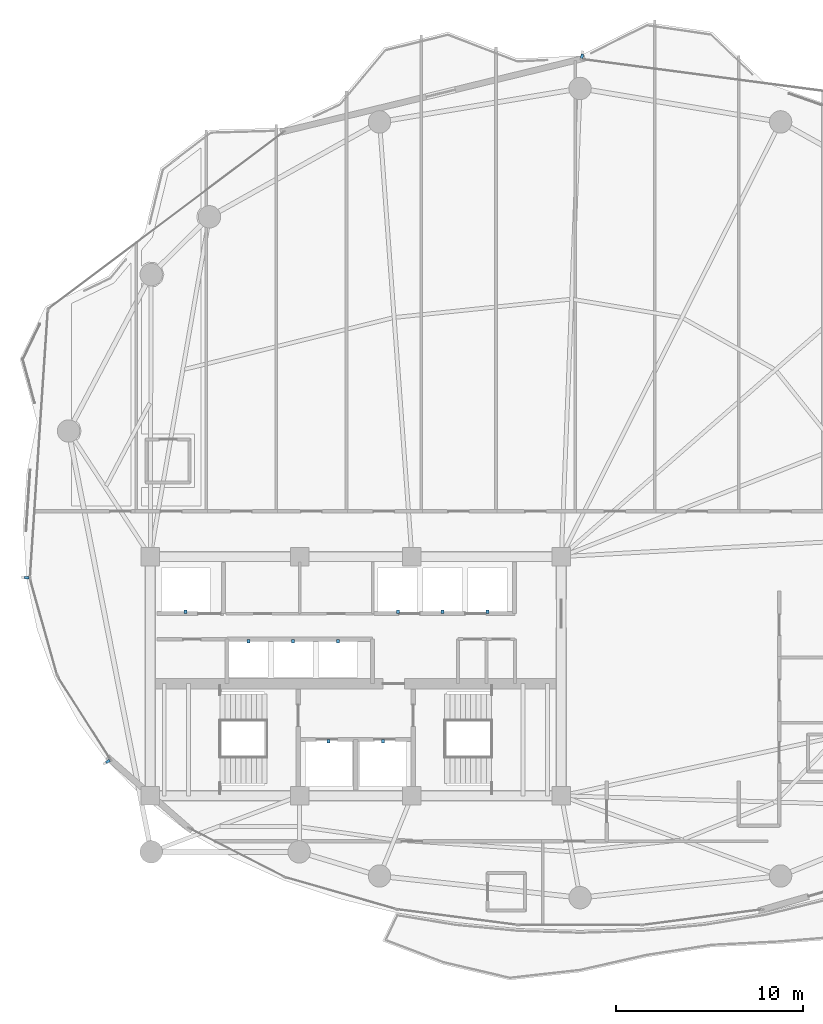
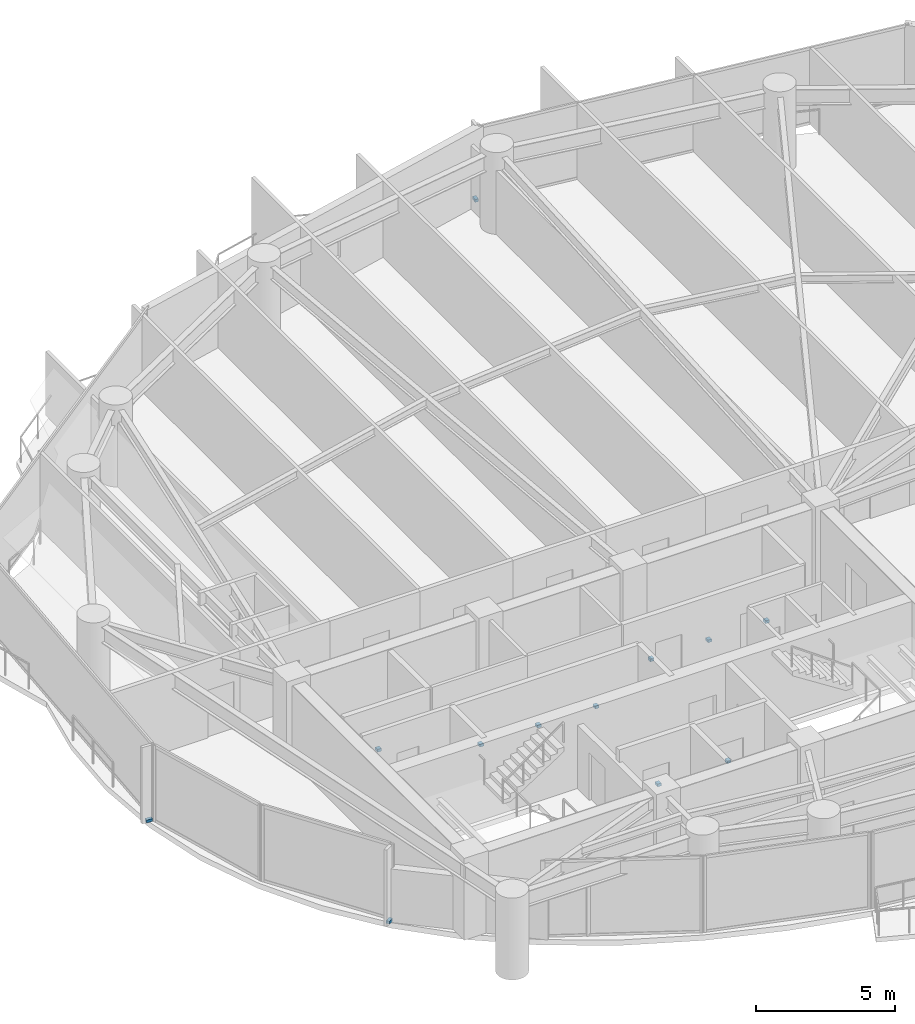
# One storey, part 28 of 31: 12 discrete accessories.
"""IFC4 building model written with IfcOpenShell, lengths in metres."""

from ifc_helpers import new_model, si_unit, direction, frame, origin, origin_2d, place, context, subcontext, project, spatial, rectangle, extrude, material, type_object, element, save


model = new_model("IFC4")

# Units and contexts
model_context = context("Model", 3, precision=1e-05, world=origin(), true_north=direction((0.0, 1.0)))
body_context = subcontext(model_context, "Body", "Model", "MODEL_VIEW")
ifc_project = project(units=[si_unit("LENGTHUNIT", "METRE"), si_unit("AREAUNIT", "SQUARE_METRE"), si_unit("VOLUMEUNIT", "CUBIC_METRE"), si_unit("PLANEANGLEUNIT", "RADIAN"), si_unit("MASSUNIT", "GRAM", prefix="KILO")], contexts=[model_context])

# Site, building, storey
site_placement = place(None, origin())
site = spatial("IfcSite", under=ifc_project, at=site_placement, CompositionType="ELEMENT")
building_placement = place(site_placement, origin())
building = spatial("IfcBuilding", under=site, at=building_placement, Name="Kazevale Care Tower and Concert Hall", CompositionType="ELEMENT")
storey_placement = place(building_placement, frame((0.0, 0.0, 117.0)))
storey = spatial("IfcBuildingStorey", under=building, at=storey_placement, Name="L30", CompositionType="ELEMENT", Elevation=117.0)

# Discrete accessories
ifc_material = material(Name="Stainless Steel 316", Category="steel")
discrete_accessory_type_1 = type_object("IfcDiscreteAccessoryType", Name="Facade Fin Stainless Anchor Bracket BRK-1", PredefinedType="BRACKET", material=ifc_material)
for number, where, z_axis, x_axis, name in (
    (1, (19.739013671875, 25.4443359375, 0.0), (0.0, 0.0, 1.0), (-0.843391445813, -0.537299608347, 0.0), "cw:L30:f11:brk"),
    (2, (15.39892578125, 35.273193359375, 0.0), (0.0, 0.0, 1.0), (-0.997778273548, 0.066622194773, 0.0), "cw:L30:f13:brk"),
    (3, (45.1044921875, 63.1708984375, 0.0), (0.0, 0.0, 1.0), (0.130872263805, 0.991399238736, 0.0), "cw:L30:f16:brk"),
):
    element("IfcDiscreteAccessory", number, at=place(storey_placement, frame(where, z_axis=z_axis, x_axis=x_axis)), inside=storey, type_object=discrete_accessory_type_1, Name=name, PredefinedType="BRACKET", context=body_context, shape_type="SweptSolid", body=[
        extrude(rectangle(XDim=0.239990234375, YDim=0.139892578125, at=origin_2d()), origin(), (0.0, 0.0, 1.0), 0.1201171875),
    ])
discrete_accessory_type_2 = type_object("IfcDiscreteAccessoryType", Name="Hoistway Guide-Rail Wall Bracket HBRK-1", PredefinedType="BRACKET", material=ifc_material)
for number, where, z_axis, x_axis, name in (
    (4, (31.550048828125, 26.52001953125, 1.239990234375), (0.0, 0.0, 1.0), (1.0, 0.0, 0.0), "hbrk:FFL-1:L30"),
    (5, (34.449951171875, 26.52001953125, 1.239990234375), (0.0, 0.0, 1.0), (1.0, 0.0, 0.0), "hbrk:FFL-2:L30"),
    (6, (23.89990234375, 33.449951171875, 1.239990234375), (0.0, 0.0, 1.0), (1.0, 0.0, 0.0), "hbrk:SVL-1:L30"),
    (7, (35.25, 33.449951171875, 1.239990234375), (0.0, 0.0, 1.0), (1.0, 0.0, 0.0), "hbrk:PM-1:L30"),
    (8, (37.64990234375, 33.449951171875, 1.239990234375), (0.0, 0.0, 1.0), (1.0, 0.0, 0.0), "hbrk:PM-2:L30"),
    (9, (40.050048828125, 33.449951171875, 1.239990234375), (0.0, 0.0, 1.0), (1.0, 0.0, 0.0), "hbrk:PM-3:L30"),
    (10, (27.25, 31.8798828125, 1.239990234375), (0.0, 0.0, 1.0), (1.0, 0.0, 0.0), "hbrk:PH-1:L30"),
    (11, (29.64990234375, 31.8798828125, 1.239990234375), (0.0, 0.0, 1.0), (1.0, 0.0, 0.0), "hbrk:PH-2:L30"),
    (12, (32.050048828125, 31.8798828125, 1.239990234375), (0.0, 0.0, 1.0), (1.0, 0.0, 0.0), "hbrk:PH-3:L30"),
):
    element("IfcDiscreteAccessory", number, at=place(storey_placement, frame(where, z_axis=z_axis, x_axis=x_axis)), inside=storey, type_object=discrete_accessory_type_2, Name=name, PredefinedType="BRACKET", context=body_context, shape_type="SweptSolid", body=[
        extrude(rectangle(XDim=0.159912109375, YDim=0.179931640625, at=origin_2d()), origin(), (0.0, 0.0, 1.0), 0.1201171875),
    ])

save(model, "model.ifc")
